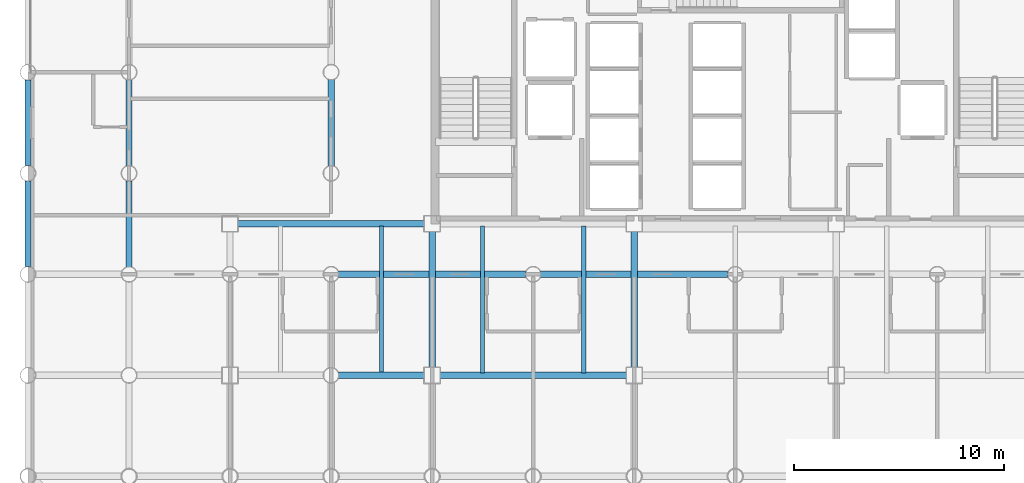
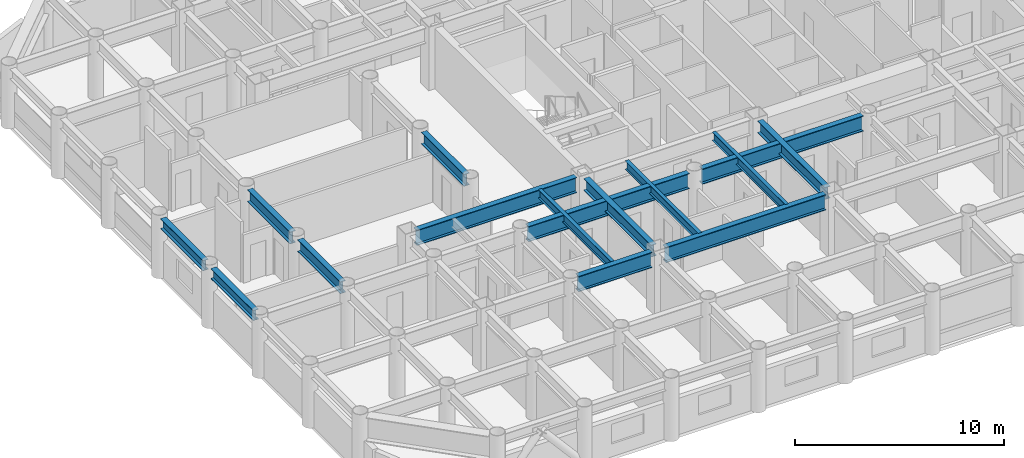
# One storey, part 3 of 22: 15 beams.
"""IFC4 building model written with IfcOpenShell, lengths in metres."""

from ifc_helpers import new_model, si_unit, direction, frame, origin, origin_2d, place, context, subcontext, project, spatial, i_section, extrude, material, material_profile, profile_set, type_object, element, save


model = new_model("IFC4")

# Units and contexts
model_context = context("Model", 3, precision=1e-05, world=origin(), true_north=direction((0.0, 1.0)))
body_context = subcontext(model_context, "Body", "Model", "MODEL_VIEW")
ifc_project = project(units=[si_unit("LENGTHUNIT", "METRE"), si_unit("AREAUNIT", "SQUARE_METRE"), si_unit("VOLUMEUNIT", "CUBIC_METRE"), si_unit("PLANEANGLEUNIT", "RADIAN"), si_unit("MASSUNIT", "GRAM", prefix="KILO")], contexts=[model_context])

# Site, building, storey
site_placement = place(None, origin())
site = spatial("IfcSite", under=ifc_project, at=site_placement, CompositionType="ELEMENT")
building_placement = place(site_placement, origin())
building = spatial("IfcBuilding", under=site, at=building_placement, Name="Kallvorn Hotel Tower", CompositionType="ELEMENT")
storey_placement = place(building_placement, frame((0.0, 0.0, 37.39990234375)))
storey = spatial("IfcBuildingStorey", under=building, at=storey_placement, Name="L07", CompositionType="ELEMENT", Elevation=37.39990234375)

# Beams
ifc_material_1 = material(Name="Structural steel S355JR", Category="steel")
ifc_material_profile_1 = material_profile(ifc_material_1, i_section(OverallWidth=0.300048828125, OverallDepth=0.60009765625, WebThickness=0.015380859375, FlangeThickness=0.030029296875, at=origin_2d()), Name="HE 600 B")
ifc_profile_set_1 = profile_set([ifc_material_profile_1], Name="Structural steel S355JR")
beam_type_1 = type_object("IfcBeamType", Name="BM_HE600B", PredefinedType="SPANDREL", material=ifc_profile_set_1)
beam_1_placement = place(storey_placement, frame((-33.60009765625, -9.22900390625, 3.22021484375), z_axis=(0.0, 1.0, 0.0), x_axis=(-1.0, 0.0, 0.0)))
element("IfcBeam", 1, at=beam_1_placement, inside=storey, type_object=beam_type_1, Name="L08 Perimeter Spandrel 176", PredefinedType="SPANDREL", context=body_context, shape_type="SweptSolid", body=[
    extrude(i_section(OverallWidth=0.300048828125, OverallDepth=0.60009765625, WebThickness=0.015380859375, FlangeThickness=0.030029296875, at=origin_2d()), origin(), (0.0, 0.0, 1.0), 4.05810546875),
])
beam_2_placement = place(storey_placement, frame((-33.60009765625, -4.428955078125, 3.22021484375), z_axis=(0.0, 1.0, 0.0), x_axis=(-1.0, 0.0, 0.0)))
element("IfcBeam", 2, at=beam_2_placement, inside=storey, type_object=beam_type_1, Name="L08 Perimeter Spandrel 177", PredefinedType="SPANDREL", context=body_context, shape_type="SweptSolid", body=[
    extrude(i_section(OverallWidth=0.300048828125, OverallDepth=0.60009765625, WebThickness=0.015380859375, FlangeThickness=0.030029296875, at=origin_2d()), origin(), (0.0, 0.0, 1.0), 4.057861328125),
])
ifc_material_2 = material(Name="Structural steel S355JR", Category="steel")
ifc_material_profile_2 = material_profile(ifc_material_2, i_section(OverallWidth=0.300048828125, OverallDepth=0.699951171875, WebThickness=0.01708984375, FlangeThickness=0.031982421875, at=origin_2d()), Name="HE 700 B")
ifc_profile_set_2 = profile_set([ifc_material_profile_2], Name="Structural steel S355JR")
beam_type_2 = type_object("IfcBeamType", Name="BM_HE700B", PredefinedType="BEAM", material=ifc_profile_set_2)
beam_3_placement = place(storey_placement, frame((-28.800048828125, -9.243896484375, 3.170166015625), z_axis=(0.0, 1.0, 0.0), x_axis=(-1.0, 0.0, 0.0)))
element("IfcBeam", 3, at=beam_3_placement, inside=storey, type_object=beam_type_2, Name="L08 Primary Y-Girder 76", PredefinedType="BEAM", context=body_context, shape_type="SweptSolid", body=[
    extrude(i_section(OverallWidth=0.300048828125, OverallDepth=0.699951171875, WebThickness=0.01708984375, FlangeThickness=0.031982421875, at=origin_2d()), origin(), (0.0, 0.0, 1.0), 4.087890625),
])
for number, where, z_axis, x_axis, name in (
    (4, (-28.800048828125, -4.444091796875, 3.170166015625), (0.0, 1.0, 0.0), (-1.0, 0.0, 0.0), "L08 Primary Y-Girder 77"),
    (5, (-19.199951171875, -4.444091796875, 3.170166015625), (0.0, 1.0, 0.0), (-1.0, 0.0, 0.0), "L08 Primary Y-Girder 93"),
):
    element("IfcBeam", number, at=place(storey_placement, frame(where, z_axis=z_axis, x_axis=x_axis)), inside=storey, type_object=beam_type_2, Name=name, PredefinedType="BEAM", context=body_context, shape_type="SweptSolid", body=[
        extrude(i_section(OverallWidth=0.300048828125, OverallDepth=0.699951171875, WebThickness=0.01708984375, FlangeThickness=0.031982421875, at=origin_2d()), origin(), (0.0, 0.0, 1.0), 4.088134765625),
    ])
for number, where, z_axis, x_axis, name in (
    (6, (-14.39990234375, -14.02490234375, 3.170166015625), (0.0, 1.0, 0.0), (-1.0, 0.0, 0.0), "L08 Primary Y-Girder 100"),
    (7, (-4.800048828125, -14.02490234375, 3.170166015625), (0.0, 1.0, 0.0), (-1.0, 0.0, 0.0), "L08 Primary Y-Girder 108"),
):
    element("IfcBeam", number, at=place(storey_placement, frame(where, z_axis=z_axis, x_axis=x_axis)), inside=storey, type_object=beam_type_2, Name=name, PredefinedType="BEAM", context=body_context, shape_type="SweptSolid", body=[
        extrude(i_section(OverallWidth=0.300048828125, OverallDepth=0.699951171875, WebThickness=0.01708984375, FlangeThickness=0.031982421875, at=origin_2d()), origin(), (0.0, 0.0, 1.0), 6.449951171875),
    ])
ifc_material_3 = material(Name="Structural steel S355JR", Category="steel")
ifc_material_profile_3 = material_profile(ifc_material_3, i_section(OverallWidth=0.300048828125, OverallDepth=0.89990234375, WebThickness=0.0185546875, FlangeThickness=0.034912109375, at=origin_2d()), Name="HE 900 B")
ifc_profile_set_3 = profile_set([ifc_material_profile_3], Name="Structural steel S355JR")
beam_type_3 = type_object("IfcBeamType", Name="BM_HE900B", PredefinedType="BEAM", material=ifc_profile_set_3)
beam_4_placement = place(storey_placement, frame((-18.843994140625, -14.39990234375, 3.070068359375), z_axis=(1.0, 0.0, 0.0), x_axis=(0.0, 1.0, 0.0)))
element("IfcBeam", 8, at=beam_4_placement, inside=storey, type_object=beam_type_3, Name="L08 Primary X-Girder 17", PredefinedType="BEAM", context=body_context, shape_type="SweptSolid", body=[
    extrude(i_section(OverallWidth=0.300048828125, OverallDepth=0.89990234375, WebThickness=0.0185546875, FlangeThickness=0.034912109375, at=origin_2d()), origin(), (0.0, 0.0, 1.0), 4.069091796875),
])
beam_5_placement = place(storey_placement, frame((-14.02490234375, -14.39990234375, 3.070068359375), z_axis=(1.0, 0.0, 0.0), x_axis=(0.0, 1.0, 0.0)))
element("IfcBeam", 9, at=beam_5_placement, inside=storey, type_object=beam_type_3, Name="L08 Primary X-Girder 18", PredefinedType="BEAM", context=body_context, shape_type="SweptSolid", body=[
    extrude(i_section(OverallWidth=0.300048828125, OverallDepth=0.89990234375, WebThickness=0.0185546875, FlangeThickness=0.034912109375, at=origin_2d()), origin(), (0.0, 0.0, 1.0), 8.849853515625),
])
for number, where, z_axis, x_axis, name in (
    (10, (-18.843994140625, -9.60009765625, 3.070068359375), (1.0, 0.0, 0.0), (0.0, 1.0, 0.0), "L08 Primary X-Girder 27"),
    (11, (-9.243896484375, -9.60009765625, 3.070068359375), (1.0, 0.0, 0.0), (0.0, 1.0, 0.0), "L08 Primary X-Girder 28"),
):
    element("IfcBeam", number, at=place(storey_placement, frame(where, z_axis=z_axis, x_axis=x_axis)), inside=storey, type_object=beam_type_3, Name=name, PredefinedType="BEAM", context=body_context, shape_type="SweptSolid", body=[
        extrude(i_section(OverallWidth=0.300048828125, OverallDepth=0.89990234375, WebThickness=0.0185546875, FlangeThickness=0.034912109375, at=origin_2d()), origin(), (0.0, 0.0, 1.0), 8.887939453125),
    ])
beam_6_placement = place(storey_placement, frame((-23.625, -7.199951171875, 3.070068359375), z_axis=(1.0, 0.0, 0.0), x_axis=(0.0, 1.0, 0.0)))
element("IfcBeam", 12, at=beam_6_placement, inside=storey, type_object=beam_type_3, Name="L08 Primary X-Girder 33", PredefinedType="BEAM", context=body_context, shape_type="SweptSolid", body=[
    extrude(i_section(OverallWidth=0.300048828125, OverallDepth=0.89990234375, WebThickness=0.0185546875, FlangeThickness=0.034912109375, at=origin_2d()), origin(), (0.0, 0.0, 1.0), 8.85009765625),
])
ifc_material_4 = material(Name="Structural steel S355JR", Category="steel")
ifc_material_profile_4 = material_profile(ifc_material_4, i_section(OverallWidth=0.199951171875, OverallDepth=0.5, WebThickness=0.01025390625, FlangeThickness=0.01611328125, at=origin_2d()), Name="IPE 500")
ifc_profile_set_4 = profile_set([ifc_material_profile_4], Name="Structural steel S355JR")
beam_type_4 = type_object("IfcBeamType", Name="BM_IPE500", PredefinedType="JOIST", material=ifc_profile_set_4)
for number, where, z_axis, x_axis, name in (
    (13, (-16.800048828125, -14.300048828125, 3.27001953125), (0.0, 1.0, 0.0), (-1.0, 0.0, 0.0), "L08 Secondary Composite Joist 194"),
    (14, (-12.0, -14.300048828125, 3.27001953125), (0.0, 1.0, 0.0), (-1.0, 0.0, 0.0), "L08 Secondary Composite Joist 196"),
    (15, (-7.199951171875, -14.300048828125, 3.27001953125), (0.0, 1.0, 0.0), (-1.0, 0.0, 0.0), "L08 Secondary Composite Joist 198"),
):
    element("IfcBeam", number, at=place(storey_placement, frame(where, z_axis=z_axis, x_axis=x_axis)), inside=storey, type_object=beam_type_4, Name=name, PredefinedType="JOIST", context=body_context, shape_type="SweptSolid", body=[
        extrude(i_section(OverallWidth=0.199951171875, OverallDepth=0.5, WebThickness=0.01025390625, FlangeThickness=0.01611328125, at=origin_2d()), origin(), (0.0, 0.0, 1.0), 7.0),
    ])

save(model, "model.ifc")
